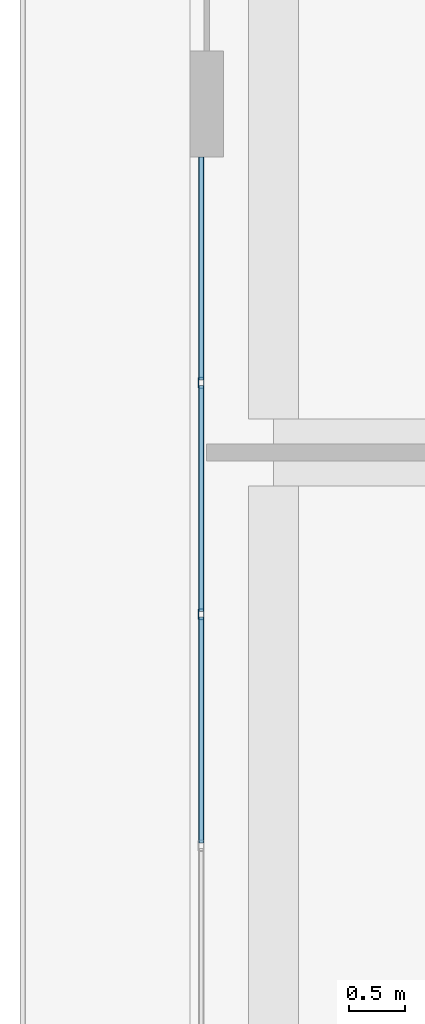
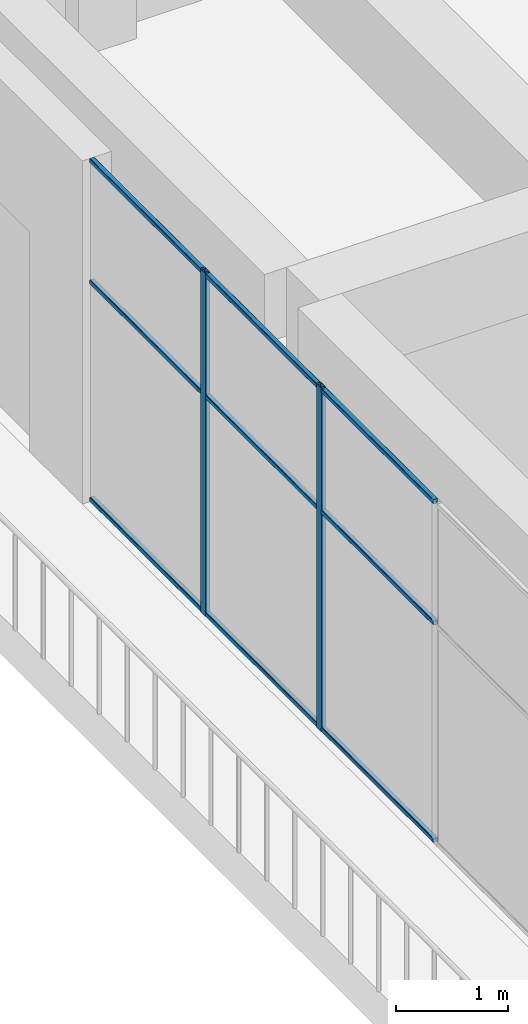
# One storey, part 7 of 32: 11 members, 1 element without a shape of its own.
"""IFC4 building model written with IfcOpenShell, lengths in metres."""

from ifc_helpers import new_model, si_unit, direction, frame, origin, origin_2d, place, context, subcontext, project, spatial, hollow_rectangle, extrude, material, layer, layer_set, material_profile, profile_set, type_object, element, aggregate, save


model = new_model("IFC4")

# Units and contexts
model_context = context("Model", 3, precision=1e-05, world=origin(), true_north=direction((0.0, 1.0)))
body_context = subcontext(model_context, "Body", "Model", "MODEL_VIEW")
ifc_project = project(units=[si_unit("LENGTHUNIT", "METRE"), si_unit("AREAUNIT", "SQUARE_METRE"), si_unit("VOLUMEUNIT", "CUBIC_METRE"), si_unit("PLANEANGLEUNIT", "RADIAN"), si_unit("MASSUNIT", "GRAM", prefix="KILO")], contexts=[model_context])

# Site, building, storey
site_placement = place(None, origin())
site = spatial("IfcSite", under=ifc_project, at=site_placement, CompositionType="ELEMENT")
building_placement = place(site_placement, origin())
building = spatial("IfcBuilding", under=site, at=building_placement, Name="Tuart Plaza Theatre", CompositionType="ELEMENT")
storey_placement = place(building_placement, frame((0.0, 0.0, 41.5)))
storey = spatial("IfcBuildingStorey", under=building, at=storey_placement, Name="L10", CompositionType="ELEMENT", Elevation=41.5)

# Curtain wall, members
ifc_material_1 = material(Name="Aluminium and glass", Category="aluminium")
ifc_layer = layer(ifc_material_1, 0.10009765625)
ifc_layer_set = layer_set([ifc_layer], Name="CURTAIN WALL 2000 module")
curtain_wall_type = type_object("IfcCurtainWallType", Name="CURTAIN WALL 2000 module", PredefinedType="NOTDEFINED", material=ifc_layer_set)
curtain_wall_placement = place(storey_placement, origin())
curtain_wall = element("IfcCurtainWall", 1, at=curtain_wall_placement, inside=storey, type_object=curtain_wall_type, Name="CW107", PredefinedType="NOTDEFINED")
ifc_material_2 = material(Name="Aluminium 6063-T5", Category="aluminium")
ifc_material_profile_1 = material_profile(ifc_material_2, hollow_rectangle(XDim=0.050048828125, YDim=0.10009765625, WallThickness=0.00390625, InnerFilletRadius=0.00390625, OuterFilletRadius=0.008056640625, at=origin_2d()), Name="RHS 100x50x4")
ifc_profile_set_1 = profile_set([ifc_material_profile_1], Name="Aluminium 6063-T5")
member_type_1 = type_object("IfcMemberType", Name="MULLION RHS 100x50x4", PredefinedType="MULLION", material=ifc_profile_set_1)
member_1_placement = place(storey_placement, frame((110.35009765625, 74.625, 0.0), z_axis=(0.0, 0.0, 1.0), x_axis=(1.0, 0.0, 0.0)))
member_1 = element("IfcMember", 2, at=member_1_placement, type_object=member_type_1, Name="CW107 mullion 2", PredefinedType="MULLION", context=body_context, shape_type="SweptSolid", body=[
    extrude(hollow_rectangle(XDim=0.050048828125, YDim=0.10009765625, WallThickness=0.00390625, InnerFilletRadius=0.00390625, OuterFilletRadius=0.008056640625, at=origin_2d()), origin(), (0.0, 0.0, 1.0), 3.75),
])
member_2_placement = place(storey_placement, frame((110.35009765625, 72.550048828125, 0.0), z_axis=(0.0, 0.0, 1.0), x_axis=(1.0, 0.0, 0.0)))
member_2 = element("IfcMember", 3, at=member_2_placement, type_object=member_type_1, Name="CW107 mullion 3", PredefinedType="MULLION", context=body_context, shape_type="SweptSolid", body=[
    extrude(hollow_rectangle(XDim=0.050048828125, YDim=0.10009765625, WallThickness=0.00390625, InnerFilletRadius=0.00390625, OuterFilletRadius=0.008056640625, at=origin_2d()), origin(), (0.0, 0.0, 1.0), 3.75),
])
ifc_material_3 = material(Name="Aluminium 6063-T5", Category="aluminium")
ifc_material_profile_2 = material_profile(ifc_material_3, hollow_rectangle(XDim=0.050048828125, YDim=0.050048828125, WallThickness=0.00390625, InnerFilletRadius=0.00390625, OuterFilletRadius=0.008056640625, at=origin_2d()), Name="RHS 50x50x4")
ifc_profile_set_2 = profile_set([ifc_material_profile_2], Name="Aluminium 6063-T5")
member_type_2 = type_object("IfcMemberType", Name="TRANSOM RHS 50x50x4", PredefinedType="USERDEFINED", material=ifc_profile_set_2)
member_3_placement = place(storey_placement, frame((110.35009765625, 76.64990234375, 0.02490234375), z_axis=(0.0, -1.0, 0.0), x_axis=(1.0, 0.0, 0.0)))
member_3 = element("IfcMember", 4, at=member_3_placement, type_object=member_type_2, Name="CW107 transom 1.1", ObjectType="TRANSOM", PredefinedType="USERDEFINED", context=body_context, shape_type="SweptSolid", body=[
    extrude(hollow_rectangle(XDim=0.050048828125, YDim=0.050048828125, WallThickness=0.00390625, InnerFilletRadius=0.00390625, OuterFilletRadius=0.008056640625, at=origin_2d()), origin(), (0.0, 0.0, 1.0), 2.0),
])
member_4_placement = place(storey_placement, frame((110.35009765625, 76.64990234375, 2.39990234375), z_axis=(0.0, -1.0, 0.0), x_axis=(1.0, 0.0, 0.0)))
member_4 = element("IfcMember", 5, at=member_4_placement, type_object=member_type_2, Name="CW107 transom 1.2", ObjectType="TRANSOM", PredefinedType="USERDEFINED", context=body_context, shape_type="SweptSolid", body=[
    extrude(hollow_rectangle(XDim=0.050048828125, YDim=0.050048828125, WallThickness=0.00390625, InnerFilletRadius=0.00390625, OuterFilletRadius=0.008056640625, at=origin_2d()), origin(), (0.0, 0.0, 1.0), 2.0),
])
member_5_placement = place(storey_placement, frame((110.35009765625, 76.64990234375, 3.72509765625), z_axis=(0.0, -1.0, 0.0), x_axis=(1.0, 0.0, 0.0)))
member_5 = element("IfcMember", 6, at=member_5_placement, type_object=member_type_2, Name="CW107 transom 1.3", ObjectType="TRANSOM", PredefinedType="USERDEFINED", context=body_context, shape_type="SweptSolid", body=[
    extrude(hollow_rectangle(XDim=0.050048828125, YDim=0.050048828125, WallThickness=0.00390625, InnerFilletRadius=0.00390625, OuterFilletRadius=0.008056640625, at=origin_2d()), origin(), (0.0, 0.0, 1.0), 2.0),
])
member_6_placement = place(storey_placement, frame((110.35009765625, 74.60009765625, 0.02490234375), z_axis=(0.0, -1.0, 0.0), x_axis=(1.0, 0.0, 0.0)))
member_6 = element("IfcMember", 7, at=member_6_placement, type_object=member_type_2, Name="CW107 transom 2.1", ObjectType="TRANSOM", PredefinedType="USERDEFINED", context=body_context, shape_type="SweptSolid", body=[
    extrude(hollow_rectangle(XDim=0.050048828125, YDim=0.050048828125, WallThickness=0.00390625, InnerFilletRadius=0.00390625, OuterFilletRadius=0.008056640625, at=origin_2d()), origin(), (0.0, 0.0, 1.0), 2.025146484375),
])
member_7_placement = place(storey_placement, frame((110.35009765625, 74.60009765625, 2.39990234375), z_axis=(0.0, -1.0, 0.0), x_axis=(1.0, 0.0, 0.0)))
member_7 = element("IfcMember", 8, at=member_7_placement, type_object=member_type_2, Name="CW107 transom 2.2", ObjectType="TRANSOM", PredefinedType="USERDEFINED", context=body_context, shape_type="SweptSolid", body=[
    extrude(hollow_rectangle(XDim=0.050048828125, YDim=0.050048828125, WallThickness=0.00390625, InnerFilletRadius=0.00390625, OuterFilletRadius=0.008056640625, at=origin_2d()), origin(), (0.0, 0.0, 1.0), 2.025146484375),
])
member_8_placement = place(storey_placement, frame((110.35009765625, 74.60009765625, 3.72509765625), z_axis=(0.0, -1.0, 0.0), x_axis=(1.0, 0.0, 0.0)))
member_8 = element("IfcMember", 9, at=member_8_placement, type_object=member_type_2, Name="CW107 transom 2.3", ObjectType="TRANSOM", PredefinedType="USERDEFINED", context=body_context, shape_type="SweptSolid", body=[
    extrude(hollow_rectangle(XDim=0.050048828125, YDim=0.050048828125, WallThickness=0.00390625, InnerFilletRadius=0.00390625, OuterFilletRadius=0.008056640625, at=origin_2d()), origin(), (0.0, 0.0, 1.0), 2.025146484375),
])
member_9_placement = place(storey_placement, frame((110.35009765625, 72.52490234375, 0.02490234375), z_axis=(0.0, -1.0, 0.0), x_axis=(1.0, 0.0, 0.0)))
member_9 = element("IfcMember", 10, at=member_9_placement, type_object=member_type_2, Name="CW107 transom 3.1", ObjectType="TRANSOM", PredefinedType="USERDEFINED", context=body_context, shape_type="SweptSolid", body=[
    extrude(hollow_rectangle(XDim=0.050048828125, YDim=0.050048828125, WallThickness=0.00390625, InnerFilletRadius=0.00390625, OuterFilletRadius=0.008056640625, at=origin_2d()), origin(), (0.0, 0.0, 1.0), 2.02490234375),
])
member_10_placement = place(storey_placement, frame((110.35009765625, 72.52490234375, 2.39990234375), z_axis=(0.0, -1.0, 0.0), x_axis=(1.0, 0.0, 0.0)))
member_10 = element("IfcMember", 11, at=member_10_placement, type_object=member_type_2, Name="CW107 transom 3.2", ObjectType="TRANSOM", PredefinedType="USERDEFINED", context=body_context, shape_type="SweptSolid", body=[
    extrude(hollow_rectangle(XDim=0.050048828125, YDim=0.050048828125, WallThickness=0.00390625, InnerFilletRadius=0.00390625, OuterFilletRadius=0.008056640625, at=origin_2d()), origin(), (0.0, 0.0, 1.0), 2.02490234375),
])
member_11_placement = place(storey_placement, frame((110.35009765625, 72.52490234375, 3.72509765625), z_axis=(0.0, -1.0, 0.0), x_axis=(1.0, 0.0, 0.0)))
member_11 = element("IfcMember", 12, at=member_11_placement, type_object=member_type_2, Name="CW107 transom 3.3", ObjectType="TRANSOM", PredefinedType="USERDEFINED", context=body_context, shape_type="SweptSolid", body=[
    extrude(hollow_rectangle(XDim=0.050048828125, YDim=0.050048828125, WallThickness=0.00390625, InnerFilletRadius=0.00390625, OuterFilletRadius=0.008056640625, at=origin_2d()), origin(), (0.0, 0.0, 1.0), 2.02490234375),
])
aggregate(curtain_wall, [member_1, member_2, member_3, member_4, member_5, member_6, member_7, member_8, member_9, member_10, member_11])

save(model, "model.ifc")
